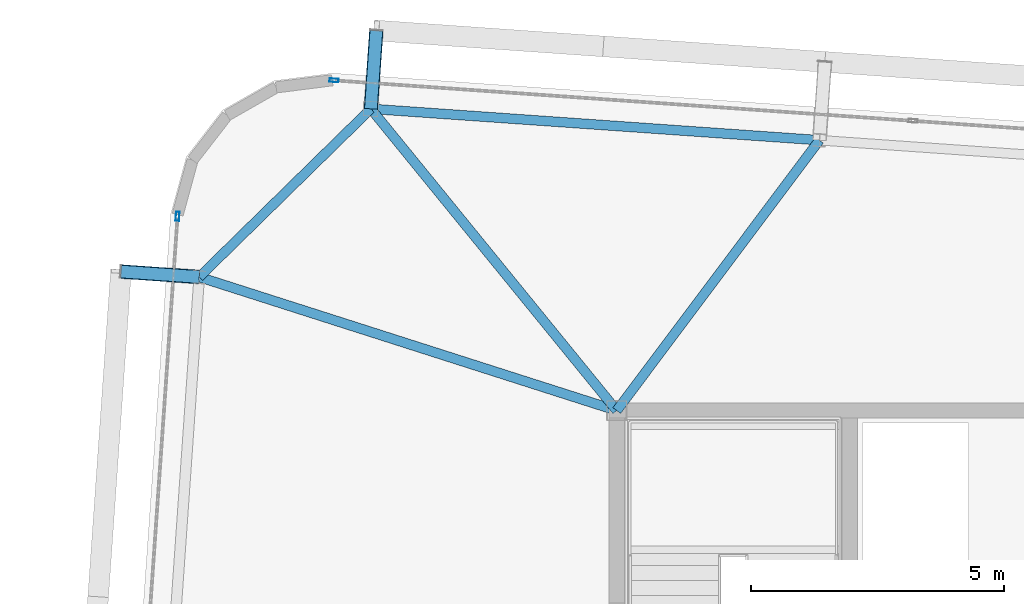
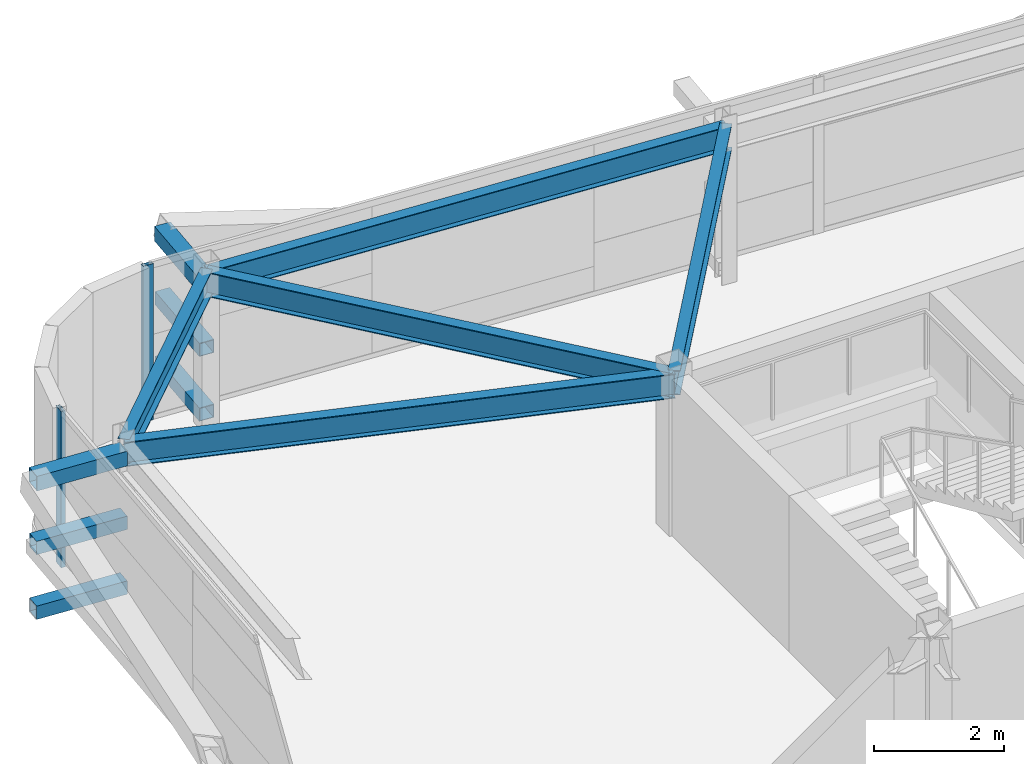
# One storey, part 19 of 39: 8 members, 5 beams, 2 elements without a shape of their own.
"""IFC4 building model written with IfcOpenShell, lengths in metres."""

from ifc_helpers import new_model, si_unit, direction, frame, origin, origin_2d, place, context, subcontext, project, spatial, hollow_rectangle, i_section, extrude, source, transform, mapped, material, layer, layer_set, material_profile, profile_set, type_object, element, aggregate, save


model = new_model("IFC4")

# Units and contexts
model_context = context("Model", 3, precision=1e-05, world=origin(), true_north=direction((0.0, 1.0)))
body_context = subcontext(model_context, "Body", "Model", "MODEL_VIEW")
ifc_project = project(units=[si_unit("LENGTHUNIT", "METRE"), si_unit("AREAUNIT", "SQUARE_METRE"), si_unit("VOLUMEUNIT", "CUBIC_METRE"), si_unit("PLANEANGLEUNIT", "RADIAN"), si_unit("MASSUNIT", "GRAM", prefix="KILO")], contexts=[model_context])

# Site, building, storey
site_placement = place(None, origin())
site = spatial("IfcSite", under=ifc_project, at=site_placement, CompositionType="ELEMENT")
building_placement = place(site_placement, origin())
building = spatial("IfcBuilding", under=site, at=building_placement, Name="Taldren Reach Tower", CompositionType="ELEMENT")
storey_placement = place(building_placement, frame((0.0, 0.0, 155.050048828125)))
storey = spatial("IfcBuildingStorey", under=building, at=storey_placement, Name="L47", CompositionType="ELEMENT", Elevation=155.050048828125)

# Members
ifc_material_1 = material(Name="Steel Gr 450 (C450L0)", Category="steel")
ifc_material_profile_1 = material_profile(ifc_material_1, hollow_rectangle(XDim=0.27490234375, YDim=0.27490234375, WallThickness=0.00927734375, at=origin_2d()), Name="275x275x9.3SHS")
ifc_profile_set_1 = profile_set([ifc_material_profile_1], Name="Steel Gr 450 (C450L0)")
member_type_1 = type_object("IfcMemberType", Name="MB-TIE273", PredefinedType="STRUT", material=ifc_profile_set_1)
shared_shape_1 = source(origin(), body_context, "Body", "SweptSolid", [
    extrude(hollow_rectangle(XDim=0.27490234375, YDim=0.27490234375, WallThickness=0.00927734375, at=origin_2d()), origin(), (0.0, 0.0, 1.0), 1.5498046875),
])
for number, where, z_axis, x_axis, name in (
    (1, (14.14453125, 37.958740234375, 2.64990234375), (0.069780535098, 0.997562367434, 0.0), (-0.997562367434, 0.069780535098, 0.0), "Exoskeleton diaphragm tie strut B3-N1 L47"),
    (2, (10.754638671875, 34.63720703125, 2.64990234375), (-0.997562367434, 0.069780535098, 0.0), (-0.069780535098, -0.997562367434, 0.0), "Exoskeleton diaphragm tie strut B3-W3 L47"),
):
    element("IfcMember", number, at=place(storey_placement, frame(where, z_axis=z_axis, x_axis=x_axis)), inside=storey, type_object=member_type_1, Name=name, PredefinedType="STRUT", context=body_context, shape_type="MappedRepresentation", body=[
        mapped(shared_shape_1, transform((0.0, 0.0, 0.0), scale=1.0)),
    ])
ifc_material_2 = material(Name="Steel Gr 350 (C350L0)", Category="steel")
ifc_material_profile_2 = material_profile(ifc_material_2, hollow_rectangle(XDim=0.25, YDim=0.25, WallThickness=0.010009765625, at=origin_2d()), Name="250x250x10.0SHS")
ifc_profile_set_2 = profile_set([ifc_material_profile_2], Name="Steel Gr 350 (C350L0)")
member_type_2 = type_object("IfcMemberType", Name="MB-POST250", PredefinedType="POST", material=ifc_profile_set_2)
shared_shape_2 = source(origin(), body_context, "Body", "SweptSolid", [
    extrude(hollow_rectangle(XDim=0.25, YDim=0.25, WallThickness=0.010009765625, at=origin_2d()), origin(), (0.0, 0.0, 1.0), 1.5498046875),
])
for number, where, z_axis, x_axis, name in (
    (3, (14.14453125, 37.958740234375, 0.219970703125), (0.069780535098, 0.997562367434, 0.0), (-0.997562367434, 0.069780535098, 0.0), "Exoskeleton base diaphragm tie strut B3-N1 L47"),
    (4, (10.754638671875, 34.63720703125, 0.219970703125), (-0.997562367434, 0.069780535098, 0.0), (-0.069780535098, -0.997562367434, 0.0), "Exoskeleton base diaphragm tie strut B3-W3 L47"),
    (5, (14.14453125, 37.958740234375, 1.43505859375), (0.069780535098, 0.997562367434, 0.0), (-0.997562367434, 0.069780535098, 0.0), "Exoskeleton mid-tier diaphragm tie B3-N1 L47"),
    (6, (10.754638671875, 34.63720703125, 1.43505859375), (-0.997562367434, 0.069780535098, 0.0), (-0.069780535098, -0.997562367434, 0.0), "Exoskeleton mid-tier diaphragm tie B3-W3 L47"),
):
    element("IfcMember", number, at=place(storey_placement, frame(where, z_axis=z_axis, x_axis=x_axis)), inside=storey, type_object=member_type_2, Name=name, PredefinedType="POST", context=body_context, shape_type="MappedRepresentation", body=[
        mapped(shared_shape_2, transform((0.0, 0.0, 0.0), scale=1.0)),
    ])

# Beams
ifc_material_3 = material(Name="Steel Gr 350 (350PLUS)", Category="steel")
ifc_material_profile_3 = material_profile(ifc_material_3, i_section(OverallWidth=0.18994140625, OverallDepth=0.4541015625, WebThickness=0.008544921875, FlangeThickness=0.0126953125, at=origin_2d()), Name="460UB67.1")
ifc_profile_set_3 = profile_set([ifc_material_profile_3], Name="Steel Gr 350 (350PLUS)")
beam_type_1 = type_object("IfcBeamType", Name="SP-UB460B", PredefinedType="SPANDREL", material=ifc_profile_set_3)
shared_shape_3 = source(origin(), body_context, "Body", "SweptSolid", [
    extrude(i_section(OverallWidth=0.18994140625, OverallDepth=0.4541015625, WebThickness=0.008544921875, FlangeThickness=0.0126953125, at=origin_2d()), origin(), (0.0, 0.0, 1.0), 8.880126953125),
])
beam_1_placement = place(storey_placement, frame((23.0029296875, 37.33935546875, 2.702880859375), z_axis=(-0.997564479639, 0.069750333063, 0.0), x_axis=(-0.069750333063, -0.997564479639, 0.0)))
element("IfcBeam", 7, at=beam_1_placement, inside=storey, type_object=beam_type_1, Name="Perimeter spandrel B3 N2-N1 L47", PredefinedType="SPANDREL", context=body_context, shape_type="MappedRepresentation", body=[
    mapped(shared_shape_3, transform((0.0, 0.0, 0.0), scale=1.0)),
])
shared_shape_4 = source(origin(), body_context, "Body", "SweptSolid", [
    extrude(i_section(OverallWidth=0.18994140625, OverallDepth=0.4541015625, WebThickness=0.008544921875, FlangeThickness=0.0126953125, at=origin_2d()), origin(), (0.0, 0.0, 1.0), 4.745849609375),
])
beam_2_placement = place(storey_placement, frame((14.14453125, 37.958740234375, 2.702880859375), z_axis=(-0.714271982806, -0.699868226581, 0.0), x_axis=(0.699868226581, -0.714271982806, 0.0)))
element("IfcBeam", 8, at=beam_2_placement, inside=storey, type_object=beam_type_1, Name="Perimeter spandrel B3 N1-W3 L47", PredefinedType="SPANDREL", context=body_context, shape_type="MappedRepresentation", body=[
    mapped(shared_shape_4, transform((0.0, 0.0, 0.0), scale=1.0)),
])
ifc_material_profile_4 = material_profile(ifc_material_3, i_section(OverallWidth=0.19091796875, OverallDepth=0.4599609375, WebThickness=0.010009765625, FlangeThickness=0.01611328125, at=origin_2d()), Name="460UB82.1")
ifc_profile_set_4 = profile_set([ifc_material_profile_4], Name="Steel Gr 350 (350PLUS)")
beam_type_2 = type_object("IfcBeamType", Name="BM-UB460A", PredefinedType="BEAM", material=ifc_profile_set_4)
shared_shape_5 = source(origin(), body_context, "Body", "SweptSolid", [
    extrude(i_section(OverallWidth=0.19091796875, OverallDepth=0.4599609375, WebThickness=0.010009765625, FlangeThickness=0.01611328125, at=origin_2d()), origin(), (0.0, 0.0, 1.0), 6.67333984375),
])
beam_3_placement = place(storey_placement, frame((19.0, 32.0, 2.699951171875), z_axis=(0.599847795508, 0.800114130749, 0.0), x_axis=(-0.800114130749, 0.599847795508, 0.0)))
element("IfcBeam", 9, at=beam_3_placement, inside=storey, type_object=beam_type_2, Name="Primary floor girder B3-N2 L47", PredefinedType="BEAM", context=body_context, shape_type="MappedRepresentation", body=[
    mapped(shared_shape_5, transform((0.0, 0.0, 0.0), scale=1.0)),
])
shared_shape_6 = source(origin(), body_context, "Body", "SweptSolid", [
    extrude(i_section(OverallWidth=0.19091796875, OverallDepth=0.4599609375, WebThickness=0.010009765625, FlangeThickness=0.01611328125, at=origin_2d()), origin(), (0.0, 0.0, 1.0), 7.6865234375),
])
beam_4_placement = place(storey_placement, frame((19.0, 32.0, 2.699951171875), z_axis=(-0.631688504871, 0.775222311866, 0.0), x_axis=(-0.775222311866, -0.631688504871, 0.0)))
element("IfcBeam", 10, at=beam_4_placement, inside=storey, type_object=beam_type_2, Name="Primary floor girder B3-N1 L47", PredefinedType="BEAM", context=body_context, shape_type="MappedRepresentation", body=[
    mapped(shared_shape_6, transform((0.0, 0.0, 0.0), scale=1.0)),
])
shared_shape_7 = source(origin(), body_context, "Body", "SweptSolid", [
    extrude(i_section(OverallWidth=0.19091796875, OverallDepth=0.4599609375, WebThickness=0.010009765625, FlangeThickness=0.01611328125, at=origin_2d()), origin(), (0.0, 0.0, 1.0), 8.65673828125),
])
beam_5_placement = place(storey_placement, frame((19.0, 32.0, 2.699951171875), z_axis=(-0.952468016288, 0.304638602195, 0.0), x_axis=(-0.304638602195, -0.952468016288, 0.0)))
element("IfcBeam", 11, at=beam_5_placement, inside=storey, type_object=beam_type_2, Name="Primary floor girder B3-W3 L47", PredefinedType="BEAM", context=body_context, shape_type="MappedRepresentation", body=[
    mapped(shared_shape_7, transform((0.0, 0.0, 0.0), scale=1.0)),
])

# Curtain wall, member
ifc_material_4 = material(Name="Aluminium and Low-E Glass Unitised System", Category="aluminium")
ifc_layer = layer(ifc_material_4, 0.159912109375)
ifc_layer_set = layer_set([ifc_layer], Name="Aluminium and Low-E Glass Unitised System")
curtain_wall_type = type_object("IfcCurtainWallType", Name="CW-SYS-4", PredefinedType="NOTDEFINED", material=ifc_layer_set)
curtain_wall_1_placement = place(storey_placement, origin())
curtain_wall_1 = element("IfcCurtainWall", 12, at=curtain_wall_1_placement, inside=storey, type_object=curtain_wall_type, Name="Unitised curtain wall CW-L47-N", PredefinedType="NOTDEFINED")
ifc_material_5 = material(Name="Anodised Aluminium 6063-T6", Category="aluminium")
ifc_material_profile_5 = material_profile(ifc_material_5, hollow_rectangle(XDim=0.070068359375, YDim=0.179931640625, WallThickness=0.00390625, at=origin_2d()), Name="ALU-180x70x4RHS")
ifc_profile_set_5 = profile_set([ifc_material_profile_5], Name="Anodised Aluminium 6063-T6")
member_type_3 = type_object("IfcMemberType", Name="CW-MUL-180", PredefinedType="MULLION", material=ifc_profile_set_5)
shared_shape_8 = source(origin(), body_context, "Body", "SweptSolid", [
    extrude(hollow_rectangle(XDim=0.070068359375, YDim=0.179931640625, WallThickness=0.00390625, at=origin_2d()), origin(), (0.0, 0.0, 1.0), 2.929931640625),
])
member_1_placement = place(storey_placement, frame((13.4169921875, 38.52099609375, 0.0), z_axis=(0.0, 0.0, 1.0), x_axis=(-0.06975651593, -0.99756404731, 0.0)))
member_1 = element("IfcMember", 13, at=member_1_placement, type_object=member_type_3, Name="CW-4 mullion 5", PredefinedType="MULLION", context=body_context, shape_type="MappedRepresentation", body=[
    mapped(shared_shape_8, transform((0.0, 0.0, 0.0), scale=1.0)),
])
aggregate(curtain_wall_1, [member_1])

curtain_wall_2_placement = place(storey_placement, origin())
curtain_wall_2 = element("IfcCurtainWall", 14, at=curtain_wall_2_placement, inside=storey, type_object=curtain_wall_type, Name="Unitised curtain wall CW-L47-W", PredefinedType="NOTDEFINED")
member_2_placement = place(storey_placement, frame((10.3271484375, 35.8349609375, 0.0), z_axis=(0.0, 0.0, 1.0), x_axis=(0.997564052812, -0.069756437251, 0.0)))
member_2 = element("IfcMember", 15, at=member_2_placement, type_object=member_type_3, Name="CW-4 mullion 1", PredefinedType="MULLION", context=body_context, shape_type="MappedRepresentation", body=[
    mapped(shared_shape_8, transform((0.0, 0.0, 0.0), scale=1.0)),
])
aggregate(curtain_wall_2, [member_2])

save(model, "model.ifc")
